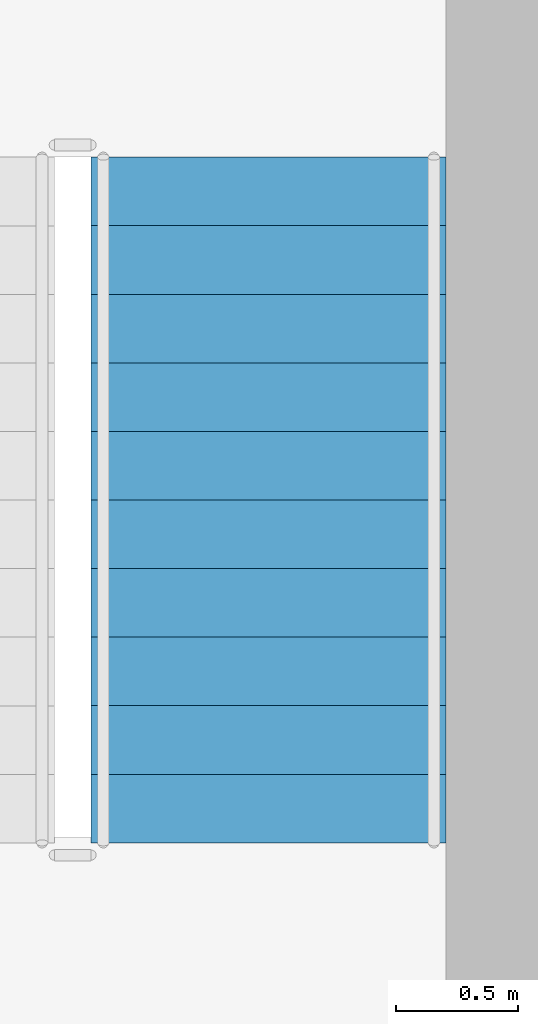
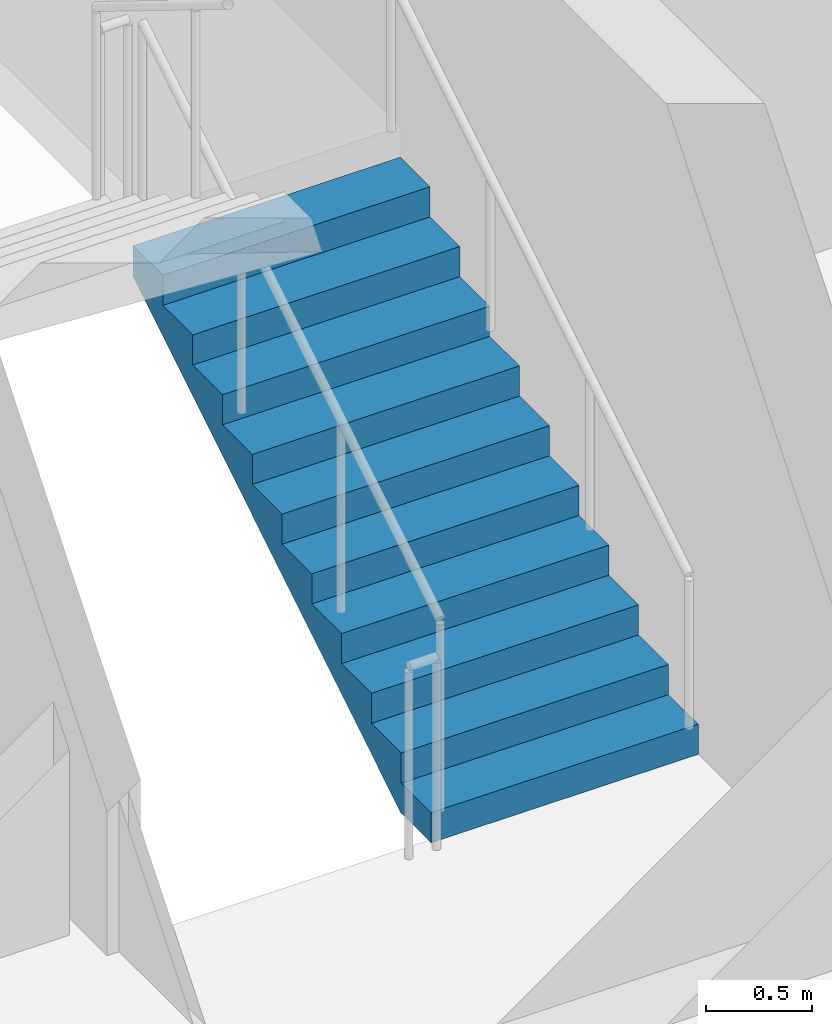
# One storey, part 29 of 33: 1 stair flight, 1 element without a shape of its own.
"""IFC4 building model written with IfcOpenShell, lengths in metres."""

from ifc_helpers import new_model, si_unit, direction, frame, origin, place, context, subcontext, project, spatial, polyline, outline, extrude, material, type_object, element, aggregate, save


model = new_model("IFC4")

# Units and contexts
model_context = context("Model", 3, precision=1e-05, world=origin(), true_north=direction((0.0, 1.0)))
body_context = subcontext(model_context, "Body", "Model", "MODEL_VIEW")
ifc_project = project(units=[si_unit("LENGTHUNIT", "METRE"), si_unit("AREAUNIT", "SQUARE_METRE"), si_unit("VOLUMEUNIT", "CUBIC_METRE"), si_unit("PLANEANGLEUNIT", "RADIAN"), si_unit("MASSUNIT", "GRAM", prefix="KILO")], contexts=[model_context])

# Site, building, storey
site_placement = place(None, origin())
site = spatial("IfcSite", under=ifc_project, at=site_placement, CompositionType="ELEMENT")
building_placement = place(site_placement, origin())
building = spatial("IfcBuilding", under=site, at=building_placement, Name="Saevonmaru Cultural Tower", CompositionType="ELEMENT")
storey_placement = place(building_placement, frame((0.0, 0.0, 238.199951171875)))
storey = spatial("IfcBuildingStorey", under=building, at=storey_placement, Name="L55", CompositionType="ELEMENT", Elevation=238.199951171875)

# Stair, stair flight
ifc_material_1 = material(Name="Concrete C40/50", Category="concrete")
stair_type = type_object("IfcStairType", Name="STR-DOGLEG-RC", PredefinedType="HALF_TURN_STAIR", material=ifc_material_1)
stair_placement = place(storey_placement, origin())
stair = element("IfcStair", 1, at=stair_placement, inside=storey, type_object=stair_type, Name="L55 Protected exit stair ST-2", PredefinedType="HALF_TURN_STAIR")
ifc_material_2 = material(Name="Precast concrete C40/50", Category="concrete")
stair_flight_type = type_object("IfcStairFlightType", Name="STF-PRECAST-180", PredefinedType="STRAIGHT", material=ifc_material_2)
stair_flight_placement = place(storey_placement, frame((45.074951171875, 44.85009765625, 0.0), z_axis=(0.0, 0.0, 1.0), x_axis=(0.0, 1.0, 0.0)))
stair_flight = element("IfcStairFlight", 2, at=stair_flight_placement, type_object=stair_flight_type, Name="ST-2-L55 flight 1", NumberOfRisers=11, NumberOfTreads=10, PredefinedType="STRAIGHT", RiserHeight=0.172727273, TreadLength=0.28, context=body_context, shape_type="SweptSolid", body=[
    extrude(outline(polyline([(0.0, 0.0), (0.0, 0.172607421875), (0.280029296875, 0.172607421875), (0.280029296875, 0.345458984375), (0.56005859375, 0.345458984375), (0.56005859375, 0.51806640625), (0.840087890625, 0.51806640625), (0.840087890625, 0.69091796875), (1.1201171875, 0.69091796875), (1.1201171875, 0.863525390625), (1.39990234375, 0.863525390625), (1.39990234375, 1.036376953125), (1.679931640625, 1.036376953125), (1.679931640625, 1.208984375), (1.9599609375, 1.208984375), (1.9599609375, 1.3818359375), (2.239990234375, 1.3818359375), (2.239990234375, 1.554443359375), (2.52001953125, 1.554443359375), (2.52001953125, 1.727294921875), (2.800048828125, 1.727294921875), (2.800048828125, 1.89990234375), (2.800048828125, 1.551025390625), (0.285400390625, 0.0), (0.0, 0.0)])), frame((0.0, 0.72509765625, 0.0), z_axis=(0.0, -1.0, 0.0), x_axis=(1.0, 0.0, 0.0)), (0.0, 0.0, 1.0), 1.449951171875),
])
aggregate(stair, [stair_flight])

save(model, "model.ifc")
